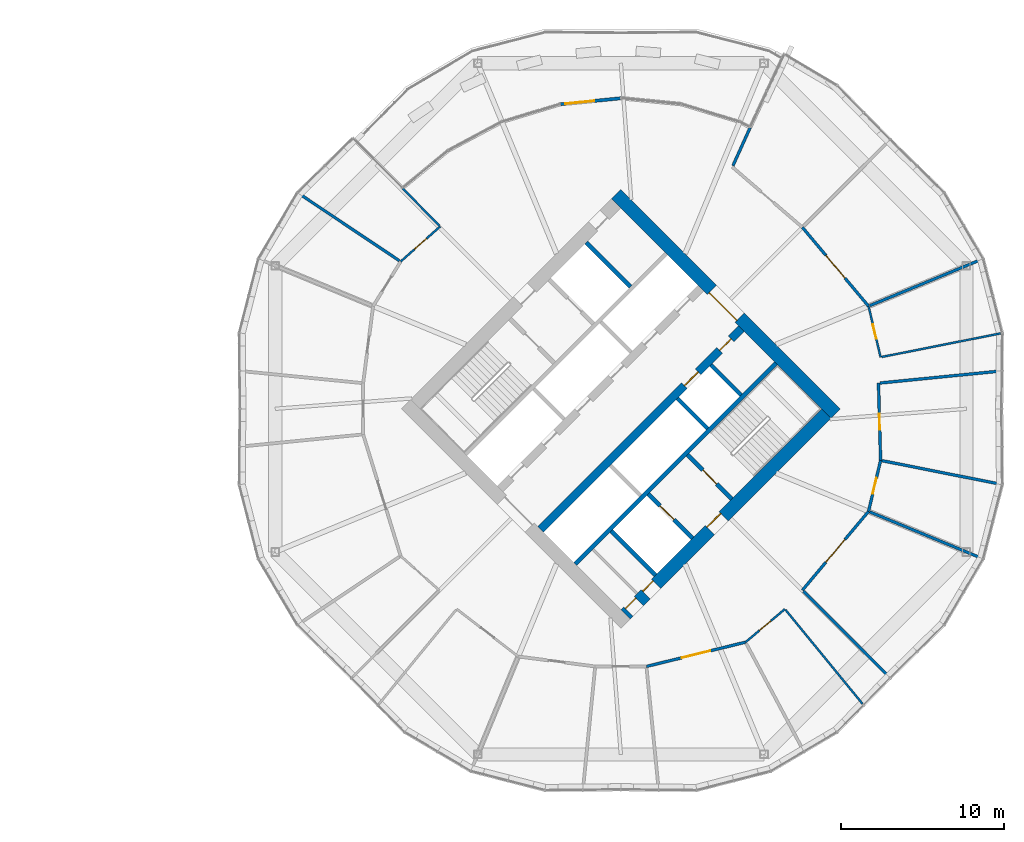
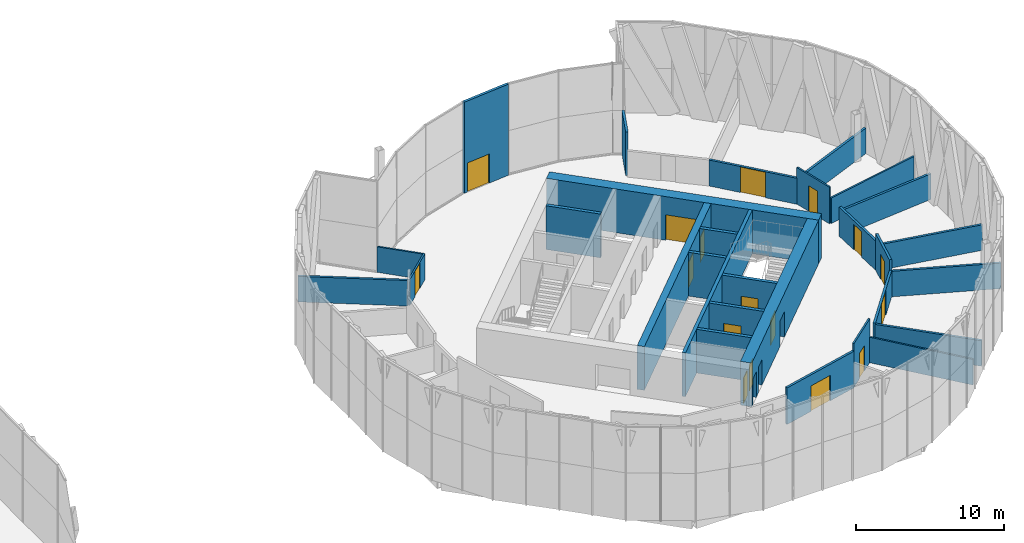
# One storey, part 25 of 31: 29 walls, 17 doors, 17 openings.
"""IFC4 building model written with IfcOpenShell, lengths in metres."""

import ifcopenshell
import ifcopenshell.guid

model = None  # the IFC model being written
_history = None  # IfcOwnerHistory: only IFC2X3 demands one
_inside = {}  # id of a spatial element -> (the spatial element, [elements in it])
_under = {}  # id of a project, library or spatial element -> (it, [spatial elements below it])
_declared = {}  # id of a project -> (the project, [libraries it declares])
_typed = {}  # id of a type object -> (the type object, [elements of that type])
_made_of = {}  # id of a material, layer set ... -> (it, [elements and type objects made of it])


def new_model(schema):
    """Start an empty IFC model of exactly this schema.

    Asked for "IFC4X3", IfcOpenShell would pick the latest addendum, in which some entities
    have other attributes; the version numbers below select the first issue.
    IFC2X3 requires an IfcOwnerHistory on every rooted entity: one is made here for all.
    """
    global model, _history
    if schema == "IFC4X3":
        model = ifcopenshell.file(schema_version=(4, 3, 0, 0))
    else:
        model = ifcopenshell.file(schema=schema)
    _inside.clear()
    _under.clear()
    _declared.clear()
    _typed.clear()
    _made_of.clear()
    _history = None
    if model.schema == "IFC2X3":
        org = make("IfcOrganization", Name="unknown")
        user = make(
            "IfcPersonAndOrganization",
            ThePerson=make("IfcPerson", FamilyName="unknown"),
            TheOrganization=org,
        )
        app = make(
            "IfcApplication",
            ApplicationDeveloper=org,
            Version="unknown",
            ApplicationFullName="unknown",
            ApplicationIdentifier="unknown",
        )
        _history = make(
            "IfcOwnerHistory",
            OwningUser=user,
            OwningApplication=app,
            ChangeAction="ADDED",
            CreationDate=0,
        )
    return model


def make(cls, **values):
    """One entity of the class cls with the attributes given. An attribute that is None is left unset."""
    return model.create_entity(
        cls, **{name: value for name, value in values.items() if value is not None}
    )


def rooted(cls, **values):
    """An entity with a GlobalId (a new one), such as an element, a storey or a relation."""
    return make(cls, GlobalId=ifcopenshell.guid.new(), OwnerHistory=_history, **values)


def si_unit(unit_type, name, prefix=None):
    """IfcSIUnit, for example si_unit("LENGTHUNIT", "METRE", prefix="MILLI")."""
    return make("IfcSIUnit", UnitType=unit_type, Prefix=prefix, Name=name)


def assignment(units):
    """IfcUnitAssignment: the units of a project."""
    return None if units is None else make("IfcUnitAssignment", Units=units)


def point(xyz):
    """IfcCartesianPoint."""
    return None if xyz is None else make("IfcCartesianPoint", Coordinates=xyz)


def direction(xyz):
    """IfcDirection."""
    return None if xyz is None else make("IfcDirection", DirectionRatios=xyz)


def frame(location, z_axis=None, x_axis=None):
    """IfcAxis2Placement3D, a coordinate frame: its origin and axes. An axis left out is left unset."""
    return make(
        "IfcAxis2Placement3D",
        Location=point(location),
        Axis=direction(z_axis),
        RefDirection=direction(x_axis),
    )


def frame_2d(location, x_axis=None):
    """IfcAxis2Placement2D, a coordinate frame in the plane: its origin and x axis."""
    return make(
        "IfcAxis2Placement2D", Location=point(location), RefDirection=direction(x_axis)
    )


def origin():
    """The frame at (0, 0, 0) with its axes left unset."""
    return frame((0.0, 0.0, 0.0))


def place(relative_to, where):
    """IfcLocalPlacement: puts the frame where relative to a parent placement (None: the world)."""
    return make(
        "IfcLocalPlacement", PlacementRelTo=relative_to, RelativePlacement=where
    )


def context(
    kind, dimensions, precision=None, world=None, true_north=None, identifier=None
):
    """IfcGeometricRepresentationContext, for example the 3D "Model" context."""
    return make(
        "IfcGeometricRepresentationContext",
        ContextIdentifier=identifier,
        ContextType=kind,
        CoordinateSpaceDimension=dimensions,
        Precision=precision,
        WorldCoordinateSystem=world,
        TrueNorth=true_north,
    )


def subcontext(parent, identifier, kind, view, scale=None):
    """IfcGeometricRepresentationSubContext, for example "Body" below "Model"."""
    return make(
        "IfcGeometricRepresentationSubContext",
        ContextIdentifier=identifier,
        ContextType=kind,
        ParentContext=parent,
        TargetScale=scale,
        TargetView=view,
    )


def project(units=None, contexts=None):
    """IfcProject with its units and contexts."""
    return rooted(
        "IfcProject",
        Name="project",
        RepresentationContexts=contexts,
        UnitsInContext=assignment(units),
    )


def spatial(cls, under=None, at=None, **own):
    """A site, building, storey or space (cls), placed at a placement, below another one or the project."""
    s = rooted(cls, ObjectPlacement=at, **own)
    if under is not None:
        _under.setdefault(under.id(), (under, []))[1].append(s)
    return s


def profile(cls, at=None, kind="AREA", **sizes):
    """A parametric profile (cls). Its sizes go by their IFC names, for example OverallWidth=200.0."""
    return make(cls, ProfileType=kind, Position=at, **sizes)


def rectangle(**sizes):
    """IfcRectangleProfileDef."""
    return profile("IfcRectangleProfileDef", **sizes)


def extrude(swept, where, along, depth):
    """IfcExtrudedAreaSolid: the profile swept, set in the frame where, extruded along a direction by depth."""
    return make(
        "IfcExtrudedAreaSolid",
        SweptArea=swept,
        Position=where,
        ExtrudedDirection=direction(along),
        Depth=depth,
    )


def shape(context_of_items, identifier, shape_type, items):
    """IfcShapeRepresentation: the items that make up one representation, for example the "Body"."""
    return make(
        "IfcShapeRepresentation",
        ContextOfItems=context_of_items,
        RepresentationIdentifier=identifier,
        RepresentationType=shape_type,
        Items=items,
    )


def material(Name=None, Category=None):
    """IfcMaterial."""
    return make("IfcMaterial", Name=Name, Category=Category)


def layer(
    of_material, thickness, ventilated=None, Name=None, Category=None, Priority=None
):
    """IfcMaterialLayer: one layer of a wall or slab, of a material (None: an air gap)."""
    return make(
        "IfcMaterialLayer",
        Material=of_material,
        LayerThickness=thickness,
        IsVentilated=ventilated,
        Name=Name,
        Category=Category,
        Priority=Priority,
    )


def layer_set(layers, Name=None):
    """IfcMaterialLayerSet."""
    return make("IfcMaterialLayerSet", MaterialLayers=layers, LayerSetName=Name)


def made_of(thing, what):
    """Note that an element or type object is made of a material, layer set ...; save() writes the relation."""
    if what is not None:
        _made_of.setdefault(what.id(), (what, []))[1].append(thing)
    return thing


def type_object(cls, material=None, **own):
    """A type object (cls), such as IfcWallType, which elements share."""
    return made_of(rooted(cls, **own), material)


def element(
    cls,
    number,
    at=None,
    inside=None,
    cuts=None,
    type_object=None,
    material=None,
    context=None,
    identifier="Body",
    shape_type=None,
    held_by="IfcProductDefinitionShape",
    body=None,
    shapes=None,
    **own,
):
    """One element of the class cls, such as IfcWall. Its Tag is "e" and its number.

    at: its placement. inside: the storey or other place that contains it. cuts: it is an
    opening in that element (IfcRelVoidsElement). A single representation is given by context,
    identifier, shape_type and body (its items); several are given by shapes. held_by: the class
    of the entity that holds the representations. save() writes the other relations.
    """
    e = rooted(cls, Tag="e%d" % number, ObjectPlacement=at, **own)
    if body is not None:
        shapes = [shape(context, identifier, shape_type, body)]
    if shapes is not None:
        e.Representation = make(held_by, Representations=shapes)
    if inside is not None:
        _inside.setdefault(inside.id(), (inside, []))[1].append(e)
    if cuts is not None:
        rooted(
            "IfcRelVoidsElement", RelatingBuildingElement=cuts, RelatedOpeningElement=e
        )
    if type_object is not None:
        _typed.setdefault(type_object.id(), (type_object, []))[1].append(e)
    return made_of(e, material)


def fill(opening, filler):
    """IfcRelFillsElement: the door or window that sits in an opening."""
    return rooted(
        "IfcRelFillsElement",
        RelatingOpeningElement=opening,
        RelatedBuildingElement=filler,
    )


def aggregate(whole, parts):
    """IfcRelAggregates: a whole, such as a stair, and the parts it consists of."""
    return rooted("IfcRelAggregates", RelatingObject=whole, RelatedObjects=parts)


def save(model, path):
    """Write the relations noted so far, then the file.

    IfcRelAggregates (storeys below a building ...), IfcRelContainedInSpatialStructure (elements
    in a storey), IfcRelDefinesByType, IfcRelAssociatesMaterial and IfcRelDeclares: one each for
    every whole, place, type object, material and project.
    """
    for whole, parts in _under.values():
        aggregate(whole, parts)
    for where, things in _inside.values():
        rooted(
            "IfcRelContainedInSpatialStructure",
            RelatedElements=things,
            RelatingStructure=where,
        )
    for kind, things in _typed.values():
        rooted("IfcRelDefinesByType", RelatedObjects=things, RelatingType=kind)
    for what, things in _made_of.values():
        rooted("IfcRelAssociatesMaterial", RelatedObjects=things, RelatingMaterial=what)
    for by, libraries in _declared.values():
        rooted("IfcRelDeclares", RelatingContext=by, RelatedDefinitions=libraries)
    model.write(path)


model = new_model("IFC4")

# Units and contexts
model_context = context("Model", 3, precision=1e-05, world=origin(), true_north=direction((0.0, 1.0)))
body_context = subcontext(model_context, "Body", "Model", "MODEL_VIEW")
ifc_project = project(units=[si_unit("LENGTHUNIT", "METRE"), si_unit("AREAUNIT", "SQUARE_METRE"), si_unit("VOLUMEUNIT", "CUBIC_METRE"), si_unit("PLANEANGLEUNIT", "RADIAN"), si_unit("MASSUNIT", "GRAM", prefix="KILO")], contexts=[model_context])

# Site, building, storey
site_placement = place(None, origin())
site = spatial("IfcSite", under=ifc_project, at=site_placement, CompositionType="ELEMENT")
building_placement = place(site_placement, origin())
building = spatial("IfcBuilding", under=site, at=building_placement, Name="Ogive Gate Towers", CompositionType="ELEMENT")
storey_placement = place(building_placement, frame((0.0, 0.0, 63.60009765625)))
storey = spatial("IfcBuildingStorey", under=building, at=storey_placement, Name="L14", CompositionType="ELEMENT", Elevation=63.60009765625)

# Walls
ifc_material_1 = material(Name="Gypsum board acoustic partition")
ifc_layer_1 = layer(ifc_material_1, 0.175048828125)
ifc_layer_set_1 = layer_set([ifc_layer_1], Name="Acoustic partition 175")
wall_type_1 = type_object("IfcWallType", Name="Acoustic partition 175", PredefinedType="PARTITIONING", material=ifc_layer_set_1)
for number, where, z_axis, x_axis, name in (
    (1, (59.231689453125, 2.308837890625, 0.0), (0.0, 0.0, 1.0), (-0.995098680944, -0.098886880746, 0.0), "Partition T2-L14-001"),
    (2, (58.090087890625, 9.14990234375, 0.0), (0.0, 0.0, 1.0), (-0.92387943858, -0.382683659136, 0.0), "Partition T2-L14-003"),
):
    element("IfcWall", number, at=place(storey_placement, frame(where, z_axis=z_axis, x_axis=x_axis)), inside=storey, type_object=wall_type_1, Name=name, PredefinedType="PARTITIONING", context=body_context, shape_type="SweptSolid", body=[
        extrude(rectangle(XDim=7.40673828125, YDim=0.175048828125, at=frame_2d((3.703369140625, 0.0))), origin(), (0.0, 0.0, 1.0), 2.099853515625),
    ])
wall_1_placement = place(storey_placement, frame((43.919189453125, 17.218994140625, 0.0), z_axis=(0.0, 0.0, 1.0), x_axis=(-0.411528057748, -0.911397091112, 0.0)))
element("IfcWall", 3, at=wall_1_placement, inside=storey, type_object=wall_type_1, Name="Partition T2-L14-005", PredefinedType="PARTITIONING", context=body_context, shape_type="SweptSolid", body=[
    extrude(rectangle(XDim=2.564697265625, YDim=0.175048828125, at=frame_2d((1.2822265625, 0.0))), origin(), (0.0, 0.0, 1.0), 3.599853515625),
])
for number, where, z_axis, x_axis, name in (
    (4, (16.290283203125, 13.1787109375, 0.0), (0.0, 0.0, 1.0), (0.831293938964, -0.55583305681, 0.0), "Partition T2-L14-007"),
    (5, (52.411376953125, -16.411376953125, 0.0), (0.0, 0.0, 1.0), (-0.707106781187, 0.707106781187, 0.0), "Partition T2-L14-019"),
    (6, (58.090087890625, -9.14990234375, 0.0), (0.0, 0.0, 1.0), (-0.92387943858, 0.382683659136, 0.0), "Partition T2-L14-020"),
    (7, (59.25537109375, -4.6181640625, 0.0), (0.0, 0.0, 1.0), (-0.980848521473, 0.194772117935, 0.0), "Partition T2-L14-021"),
):
    element("IfcWall", number, at=place(storey_placement, frame(where, z_axis=z_axis, x_axis=x_axis)), inside=storey, type_object=wall_type_1, Name=name, PredefinedType="PARTITIONING", context=body_context, shape_type="SweptSolid", body=[
        extrude(rectangle(XDim=7.40673828125, YDim=0.175048828125, at=frame_2d((3.703369140625, 0.0))), origin(), (0.0, 0.0, 1.0), 2.099853515625),
    ])

# Wall, opening, door
wall_2_placement = place(storey_placement, frame((47.112060546875, 11.112060546875, 0.0), z_axis=(0.0, 0.0, 1.0), x_axis=(0.642906942944, -0.765944294785, 0.0)))
wall_2 = element("IfcWall", 8, at=wall_2_placement, inside=storey, type_object=wall_type_1, Name="Partition T2-L14-023", PredefinedType="PARTITIONING", context=body_context, shape_type="SweptSolid", body=[
    extrude(rectangle(XDim=6.30615234375, YDim=0.175048828125, at=frame_2d((3.153076171875, 0.0))), origin(), (0.0, 0.0, 1.0), 2.139892578125),
])
opening_1_placement = place(wall_2_placement, frame((2.2529296875, 0.0, 0.0)))
opening_1 = element("IfcOpeningElement", 9, at=opening_1_placement, cuts=wall_2, Name="Opening T2-L14-D02", PredefinedType="OPENING", context=body_context, shape_type="SweptSolid", body=[
    extrude(rectangle(XDim=1.800048828125, YDim=2.10009765625, at=frame_2d((0.89990234375, 1.050048828125))), frame((0.0, 0.09765625, 0.0), z_axis=(0.0, -1.0, 0.0), x_axis=(1.0, 0.0, 0.0)), (0.0, 0.0, 1.0), 0.195068359375),
])
ifc_material_2 = material(Name="Timber door", Category="wood")
door_type_1 = type_object("IfcDoorType", Name="Door pair 1800", OperationType="NOTDEFINED", PredefinedType="DOOR", material=ifc_material_2)
door_1_placement = place(opening_1_placement, origin())
door_1 = element("IfcDoor", 10, at=door_1_placement, inside=storey, type_object=door_type_1, Name="Door T2-L14-D02", OperationType="DOUBLE_DOOR_DOUBLE_SWING", OverallHeight=2.10009765625, OverallWidth=1.800048828125, PredefinedType="DOOR", context=body_context, shape_type="SweptSolid", body=[
    extrude(rectangle(XDim=1.800048828125, YDim=2.10009765625, at=frame_2d((0.89990234375, 1.050048828125))), frame((0.0, 0.02490234375, 0.0), z_axis=(0.0, -1.0, 0.0), x_axis=(1.0, 0.0, 0.0)), (0.0, 0.0, 1.0), 0.050048828125),
])
fill(opening_1, door_1)

wall_3_placement = place(storey_placement, frame((51.7744140625, 1.567626953125, 0.0), z_axis=(0.0, 0.0, 1.0), x_axis=(0.027575004634, -0.99961973726, 0.0)))
wall_3 = element("IfcWall", 11, at=wall_3_placement, inside=storey, type_object=wall_type_1, Name="Partition T2-L14-025", PredefinedType="PARTITIONING", context=body_context, shape_type="SweptSolid", body=[
    extrude(rectangle(XDim=4.727783203125, YDim=0.175048828125, at=frame_2d((2.36376953125, 0.0))), origin(), (0.0, 0.0, 1.0), 2.39990234375),
])
opening_2_placement = place(wall_3_placement, frame((1.864013671875, 0.0, 0.0)))
opening_2 = element("IfcOpeningElement", 12, at=opening_2_placement, cuts=wall_3, Name="Opening T2-L14-D04", PredefinedType="OPENING", context=body_context, shape_type="SweptSolid", body=[
    extrude(rectangle(XDim=1.0, YDim=2.10009765625, at=frame_2d((0.5, 1.050048828125))), frame((0.0, 0.09765625, 0.0), z_axis=(0.0, -1.0, 0.0), x_axis=(1.0, 0.0, 0.0)), (0.0, 0.0, 1.0), 0.195068359375),
])
door_type_2 = type_object("IfcDoorType", Name="Door 1000", OperationType="NOTDEFINED", PredefinedType="DOOR", material=ifc_material_2)
door_2_placement = place(opening_2_placement, origin())
door_2 = element("IfcDoor", 13, at=door_2_placement, inside=storey, type_object=door_type_2, Name="Door T2-L14-D04", OperationType="SINGLE_SWING_LEFT", OverallHeight=2.10009765625, OverallWidth=1.0, PredefinedType="DOOR", context=body_context, shape_type="SweptSolid", body=[
    extrude(rectangle(XDim=1.0, YDim=2.10009765625, at=frame_2d((0.5, 1.050048828125))), frame((0.0, 0.02490234375, 0.0), z_axis=(0.0, -1.0, 0.0), x_axis=(1.0, 0.0, 0.0)), (0.0, 0.0, 1.0), 0.050048828125),
])
fill(opening_2, door_2)

wall_4_placement = place(storey_placement, frame((51.90478515625, -3.158447265625, 0.0), z_axis=(0.0, 0.0, 1.0), x_axis=(-0.23009487344, -0.973168201914, 0.0)))
wall_4 = element("IfcWall", 14, at=wall_4_placement, inside=storey, type_object=wall_type_1, Name="Partition T2-L14-026", PredefinedType="PARTITIONING", context=body_context, shape_type="SweptSolid", body=[
    extrude(rectangle(XDim=3.209716796875, YDim=0.175048828125, at=frame_2d((1.60498046875, 0.0))), origin(), (0.0, 0.0, 1.0), 3.010009765625),
])
opening_3_placement = place(wall_4_placement, frame((1.10498046875, 0.0, 0.0)))
opening_3 = element("IfcOpeningElement", 15, at=opening_3_placement, cuts=wall_4, Name="Opening T2-L14-D05", PredefinedType="OPENING", context=body_context, shape_type="SweptSolid", body=[
    extrude(rectangle(XDim=1.0, YDim=2.10009765625, at=frame_2d((0.5, 1.050048828125))), frame((0.0, 0.09765625, 0.0), z_axis=(0.0, -1.0, 0.0), x_axis=(1.0, 0.0, 0.0)), (0.0, 0.0, 1.0), 0.195068359375),
])
door_3_placement = place(opening_3_placement, origin())
door_3 = element("IfcDoor", 16, at=door_3_placement, inside=storey, type_object=door_type_2, Name="Door T2-L14-D05", OperationType="SINGLE_SWING_LEFT", OverallHeight=2.10009765625, OverallWidth=1.0, PredefinedType="DOOR", context=body_context, shape_type="SweptSolid", body=[
    extrude(rectangle(XDim=1.0, YDim=2.10009765625, at=frame_2d((0.5, 1.050048828125))), frame((0.0, 0.02490234375, 0.0), z_axis=(0.0, -1.0, 0.0), x_axis=(1.0, 0.0, 0.0)), (0.0, 0.0, 1.0), 0.050048828125),
])
fill(opening_3, door_3)

wall_5_placement = place(storey_placement, frame((51.166259765625, -6.281982421875, 0.0), z_axis=(0.0, 0.0, 1.0), x_axis=(-0.642906942944, -0.765944294785, 0.0)))
wall_5 = element("IfcWall", 17, at=wall_5_placement, inside=storey, type_object=wall_type_1, Name="Partition T2-L14-027", PredefinedType="PARTITIONING", context=body_context, shape_type="SweptSolid", body=[
    extrude(rectangle(XDim=6.30615234375, YDim=0.175048828125, at=frame_2d((3.153076171875, 0.0))), origin(), (0.0, 0.0, 1.0), 2.139892578125),
])
opening_4_placement = place(wall_5_placement, frame((2.2529296875, 0.0, 0.0)))
opening_4 = element("IfcOpeningElement", 18, at=opening_4_placement, cuts=wall_5, Name="Opening T2-L14-D06", PredefinedType="OPENING", context=body_context, shape_type="SweptSolid", body=[
    extrude(rectangle(XDim=1.800048828125, YDim=2.10009765625, at=frame_2d((0.89990234375, 1.050048828125))), frame((0.0, 0.09765625, 0.0), z_axis=(0.0, -1.0, 0.0), x_axis=(1.0, 0.0, 0.0)), (0.0, 0.0, 1.0), 0.195068359375),
])
door_4_placement = place(opening_4_placement, origin())
door_4 = element("IfcDoor", 19, at=door_4_placement, inside=storey, type_object=door_type_1, Name="Door T2-L14-D06", OperationType="DOUBLE_DOOR_DOUBLE_SWING", OverallHeight=2.10009765625, OverallWidth=1.800048828125, PredefinedType="DOOR", context=body_context, shape_type="SweptSolid", body=[
    extrude(rectangle(XDim=1.800048828125, YDim=2.10009765625, at=frame_2d((0.89990234375, 1.050048828125))), frame((0.0, 0.02490234375, 0.0), z_axis=(0.0, -1.0, 0.0), x_axis=(1.0, 0.0, 0.0)), (0.0, 0.0, 1.0), 0.050048828125),
])
fill(opening_4, door_4)

wall_6_placement = place(storey_placement, frame((43.633056640625, -14.2890625, 0.0), z_axis=(0.0, 0.0, 1.0), x_axis=(-0.971299523698, -0.237859696594, 0.0)))
wall_6 = element("IfcWall", 20, at=wall_6_placement, inside=storey, type_object=wall_type_1, Name="Partition T2-L14-029", PredefinedType="PARTITIONING", context=body_context, shape_type="SweptSolid", body=[
    extrude(rectangle(XDim=6.24462890625, YDim=0.175048828125, at=frame_2d((3.122314453125, 0.0))), origin(), (0.0, 0.0, 1.0), 3.010009765625),
])
opening_5_placement = place(wall_6_placement, frame((2.221923828125, 0.0, 0.0)))
opening_5 = element("IfcOpeningElement", 21, at=opening_5_placement, cuts=wall_6, Name="Opening T2-L14-D08", PredefinedType="OPENING", context=body_context, shape_type="SweptSolid", body=[
    extrude(rectangle(XDim=1.800048828125, YDim=2.10009765625, at=frame_2d((0.89990234375, 1.050048828125))), frame((0.0, 0.09765625, 0.0), z_axis=(0.0, -1.0, 0.0), x_axis=(1.0, 0.0, 0.0)), (0.0, 0.0, 1.0), 0.195068359375),
])
door_5_placement = place(opening_5_placement, origin())
door_5 = element("IfcDoor", 22, at=door_5_placement, inside=storey, type_object=door_type_1, Name="Door T2-L14-D08", OperationType="DOUBLE_DOOR_DOUBLE_SWING", OverallHeight=2.10009765625, OverallWidth=1.800048828125, PredefinedType="DOOR", context=body_context, shape_type="SweptSolid", body=[
    extrude(rectangle(XDim=1.800048828125, YDim=2.10009765625, at=frame_2d((0.89990234375, 1.050048828125))), frame((0.0, 0.02490234375, 0.0), z_axis=(0.0, -1.0, 0.0), x_axis=(1.0, 0.0, 0.0)), (0.0, 0.0, 1.0), 0.050048828125),
])
fill(opening_5, door_5)

# Wall, openings, doors
ifc_material_3 = material(Name="Concrete C60/75", Category="concrete")
ifc_layer_2 = layer(ifc_material_3, 0.800048828125)
ifc_layer_set_2 = layer_set([ifc_layer_2], Name="Core wall 800 mm")
wall_type_2 = type_object("IfcWallType", Name="Core wall 800 mm", PredefinedType="SHEAR", material=ifc_layer_set_2)
wall_7_placement = place(storey_placement, frame((36.28271484375, -12.58642578125, 0.0), z_axis=(0.0, 0.0, 1.0), x_axis=(0.707106781187, 0.707106781187, 0.0)))
wall_7 = element("IfcWall", 23, at=wall_7_placement, inside=storey, type_object=wall_type_2, Name="T2 L14 Core wall 800 mm", PredefinedType="SHEAR", context=body_context, shape_type="SweptSolid", body=[
    extrude(rectangle(XDim=17.400146484375, YDim=0.800048828125, at=frame_2d((8.7001953125, 0.0))), origin(), (0.0, 0.0, 1.0), 3.599853515625),
])
opening_6_placement = place(wall_7_placement, frame((7.300048828125, 0.0, 0.0)))
opening_6 = element("IfcOpeningElement", 24, at=opening_6_placement, cuts=wall_7, Name="Opening KD-T2-L14-16", PredefinedType="OPENING", context=body_context, shape_type="SweptSolid", body=[
    extrude(rectangle(XDim=1.199951171875, YDim=2.10009765625, at=frame_2d((0.60009765625, 1.050048828125))), frame((0.0, 0.41015625, 0.0), z_axis=(0.0, -1.0, 0.0), x_axis=(1.0, 0.0, 0.0)), (0.0, 0.0, 1.0), 0.820068359375),
])
opening_7_placement = place(wall_7_placement, frame((0.25, 0.0, 0.0)))
opening_7 = element("IfcOpeningElement", 25, at=opening_7_placement, cuts=wall_7, Name="Opening KD-T2-L14-18", PredefinedType="OPENING", context=body_context, shape_type="SweptSolid", body=[
    extrude(rectangle(XDim=0.89990234375, YDim=2.10009765625, at=frame_2d((0.449951171875, 1.050048828125))), frame((0.0, 0.41015625, 0.0), z_axis=(0.0, -1.0, 0.0), x_axis=(1.0, 0.0, 0.0)), (0.0, 0.0, 1.0), 0.820068359375),
])
opening_8_placement = place(wall_7_placement, frame((1.75, 0.0, 0.0)))
opening_8 = element("IfcOpeningElement", 26, at=opening_8_placement, cuts=wall_7, Name="Opening KD-T2-L14-19", PredefinedType="OPENING", context=body_context, shape_type="SweptSolid", body=[
    extrude(rectangle(XDim=0.89990234375, YDim=2.10009765625, at=frame_2d((0.449951171875, 1.050048828125))), frame((0.0, 0.41015625, 0.0), z_axis=(0.0, -1.0, 0.0), x_axis=(1.0, 0.0, 0.0)), (0.0, 0.0, 1.0), 0.820068359375),
])
door_type_3 = type_object("IfcDoorType", Name="Core WC door 900 x 2100", OperationType="NOTDEFINED", PredefinedType="DOOR", material=ifc_material_2)
door_6_placement = place(opening_7_placement, origin())
door_6 = element("IfcDoor", 27, at=door_6_placement, inside=storey, type_object=door_type_3, Name="T2 L14 Core door", OperationType="SINGLE_SWING_LEFT", OverallHeight=2.10009765625, OverallWidth=0.89990234375, PredefinedType="DOOR", context=body_context, shape_type="SweptSolid", body=[
    extrude(rectangle(XDim=0.89990234375, YDim=2.10009765625, at=frame_2d((0.449951171875, 1.050048828125))), frame((0.0, 0.27490234375, 0.0), z_axis=(0.0, -1.0, 0.0), x_axis=(1.0, 0.0, 0.0)), (0.0, 0.0, 1.0), 0.050048828125),
])
fill(opening_7, door_6)
door_7_placement = place(opening_8_placement, origin())
door_7 = element("IfcDoor", 28, at=door_7_placement, inside=storey, type_object=door_type_3, Name="T2 L14 Core door", OperationType="SINGLE_SWING_RIGHT", OverallHeight=2.10009765625, OverallWidth=0.89990234375, PredefinedType="DOOR", context=body_context, shape_type="SweptSolid", body=[
    extrude(rectangle(XDim=0.89990234375, YDim=2.10009765625, at=frame_2d((0.449951171875, 1.050048828125))), frame((0.0, 0.27490234375, 0.0), z_axis=(0.0, -1.0, 0.0), x_axis=(1.0, 0.0, 0.0)), (0.0, 0.0, 1.0), 0.050048828125),
])
fill(opening_8, door_7)
ifc_material_4 = material(Name="Steel fire door", Category="steel")
door_type_4 = type_object("IfcDoorType", Name="Core door FD60S 1200 x 2100", OperationType="NOTDEFINED", PredefinedType="DOOR", material=ifc_material_4)
door_8_placement = place(opening_6_placement, origin())
door_8 = element("IfcDoor", 29, at=door_8_placement, inside=storey, type_object=door_type_4, Name="T2 L14 Fire-fighting lobby door", OperationType="SINGLE_SWING_LEFT", OverallHeight=2.10009765625, OverallWidth=1.199951171875, PredefinedType="DOOR", context=body_context, shape_type="SweptSolid", body=[
    extrude(rectangle(XDim=1.199951171875, YDim=2.10009765625, at=frame_2d((0.60009765625, 1.050048828125))), frame((0.0, 0.27490234375, 0.0), z_axis=(0.0, -1.0, 0.0), x_axis=(1.0, 0.0, 0.0)), (0.0, 0.0, 1.0), 0.050048828125),
])
fill(opening_6, door_8)

# Wall, opening, door
wall_8_placement = place(storey_placement, frame((49.152099609375, -0.28271484375, 0.0), z_axis=(0.0, 0.0, 1.0), x_axis=(-0.707106781187, 0.707106781187, 0.0)))
wall_8 = element("IfcWall", 30, at=wall_8_placement, inside=storey, type_object=wall_type_2, Name="T2 L14 Core wall 800 mm", PredefinedType="SHEAR", context=body_context, shape_type="SweptSolid", body=[
    extrude(rectangle(XDim=18.999755859375, YDim=0.800048828125, at=frame_2d((9.5, 0.0))), origin(), (0.0, 0.0, 1.0), 3.599853515625),
])
opening_9_placement = place(wall_8_placement, frame((8.300048828125, 0.0, 0.0)))
opening_9 = element("IfcOpeningElement", 31, at=opening_9_placement, cuts=wall_8, Name="Opening KD-T2-L14-02", PredefinedType="OPENING", context=body_context, shape_type="SweptSolid", body=[
    extrude(rectangle(XDim=2.39990234375, YDim=2.10009765625, at=frame_2d((1.199951171875, 1.050048828125))), frame((0.0, 0.41015625, 0.0), z_axis=(0.0, -1.0, 0.0), x_axis=(1.0, 0.0, 0.0)), (0.0, 0.0, 1.0), 0.820068359375),
])
door_type_5 = type_object("IfcDoorType", Name="Core double door FD60S 2400 x 2100", OperationType="DOUBLE_DOOR_SINGLE_SWING", PredefinedType="DOOR", material=ifc_material_4)
door_9_placement = place(opening_9_placement, origin())
door_9 = element("IfcDoor", 32, at=door_9_placement, inside=storey, type_object=door_type_5, Name="T2 L14 Core door double", OperationType="DOUBLE_DOOR_SINGLE_SWING", OverallHeight=2.10009765625, OverallWidth=2.39990234375, PredefinedType="DOOR", context=body_context, shape_type="SweptSolid", body=[
    extrude(rectangle(XDim=2.39990234375, YDim=2.10009765625, at=frame_2d((1.199951171875, 1.050048828125))), frame((0.0, 0.27490234375, 0.0), z_axis=(0.0, -1.0, 0.0), x_axis=(1.0, 0.0, 0.0)), (0.0, 0.0, 1.0), 0.050048828125),
])
fill(opening_9, door_9)

ifc_material_5 = material(Name="Pale metal aluminium", Category="aluminium")
ifc_layer_3 = layer(ifc_material_5, 0.199951171875)
ifc_layer_set_3 = layer_set([ifc_layer_3], Name="Garden infill wall")
wall_type_3 = type_object("IfcWallType", Name="Garden infill wall", PredefinedType="SOLIDWALL", material=ifc_layer_set_3)
wall_9_placement = place(storey_placement, frame((32.316162109375, 18.647705078125, 0.0), z_axis=(0.0, 0.0, 1.0), x_axis=(0.995185313901, 0.098011177909, 0.0)))
wall_9 = element("IfcWall", 33, at=wall_9_placement, inside=storey, type_object=wall_type_3, Name="Garden infill wall", PredefinedType="SOLIDWALL", context=body_context, shape_type="SweptSolid", body=[
    extrude(rectangle(XDim=3.6767578125, YDim=0.199951171875, at=frame_2d((1.83837890625, 0.0))), origin(), (0.0, 0.0, 1.0), 7.5),
])
opening_10_placement = place(wall_9_placement, frame((0.27490234375, 0.0, 0.0)))
opening_10 = element("IfcOpeningElement", 34, at=opening_10_placement, cuts=wall_9, Name="Opening ED1-L14-01", PredefinedType="OPENING", context=body_context, shape_type="SweptSolid", body=[
    extrude(rectangle(XDim=1.800048828125, YDim=2.39990234375, at=frame_2d((0.89990234375, 1.199951171875))), frame((0.0, 0.10986328125, 0.0), z_axis=(0.0, -1.0, 0.0), x_axis=(1.0, 0.0, 0.0)), (0.0, 0.0, 1.0), 0.219970703125),
])
door_type_6 = type_object("IfcDoorType", Name="Garden door 1800 x 2400", OperationType="DOUBLE_DOOR_SINGLE_SWING", PredefinedType="DOOR", material=ifc_material_5)
door_10_placement = place(opening_10_placement, origin())
door_10 = element("IfcDoor", 35, at=door_10_placement, inside=storey, type_object=door_type_6, Name="Garden door", OperationType="SINGLE_SWING_LEFT", OverallHeight=2.39990234375, OverallWidth=1.800048828125, PredefinedType="DOOR", context=body_context, shape_type="SweptSolid", body=[
    extrude(rectangle(XDim=1.800048828125, YDim=2.39990234375, at=frame_2d((0.89990234375, 1.199951171875))), frame((0.0, 0.02490234375, 0.0), z_axis=(0.0, -1.0, 0.0), x_axis=(1.0, 0.0, 0.0)), (0.0, 0.0, 1.0), 0.050048828125),
])
fill(opening_10, door_10)

# Walls
ifc_material_6 = material(Name="Gypsum board partition")
ifc_layer_4 = layer(ifc_material_6, 0.125)
ifc_layer_set_4 = layer_set([ifc_layer_4], Name="Partition 125")
wall_type_4 = type_object("IfcWallType", Name="Partition 125", PredefinedType="PARTITIONING", material=ifc_layer_set_4)
wall_10_placement = place(storey_placement, frame((59.25537109375, 4.6181640625, 0.0), z_axis=(0.0, 0.0, 1.0), x_axis=(-0.980847627209, -0.194776621285, 0.0)))
element("IfcWall", 36, at=wall_10_placement, inside=storey, type_object=wall_type_4, Name="Partition T2-L14-002", PredefinedType="PARTITIONING", context=body_context, shape_type="SweptSolid", body=[
    extrude(rectangle(XDim=7.431640625, YDim=0.125, at=frame_2d((3.7158203125, 0.0))), origin(), (0.0, 0.0, 1.0), 2.099853515625),
])
wall_11_placement = place(storey_placement, frame((22.63525390625, 13.506103515625, 0.0), z_axis=(0.0, 0.0, 1.0), x_axis=(0.699991154973, -0.714151512608, 0.0)))
element("IfcWall", 37, at=wall_11_placement, inside=storey, type_object=wall_type_4, Name="Partition T2-L14-006", PredefinedType="PARTITIONING", context=body_context, shape_type="SweptSolid", body=[
    extrude(rectangle(XDim=3.22412109375, YDim=0.125, at=frame_2d((1.612060546875, 0.0))), origin(), (0.0, 0.0, 1.0), 2.099853515625),
])
wall_12_placement = place(storey_placement, frame((50.794677734375, -18.06005859375, 0.0), z_axis=(0.0, 0.0, 1.0), x_axis=(-0.633699220446, 0.773579535669, 0.0)))
element("IfcWall", 38, at=wall_12_placement, inside=storey, type_object=wall_type_4, Name="Partition T2-L14-018", PredefinedType="PARTITIONING", context=body_context, shape_type="SweptSolid", body=[
    extrude(rectangle(XDim=7.431640625, YDim=0.125, at=frame_2d((3.7158203125, 0.0))), origin(), (0.0, 0.0, 1.0), 2.099853515625),
])

# Wall, opening, door
wall_13_placement = place(storey_placement, frame((51.166259765625, 6.281982421875, 0.0), z_axis=(0.0, 0.0, 1.0), x_axis=(0.23009487344, -0.973168201914, 0.0)))
wall_13 = element("IfcWall", 39, at=wall_13_placement, inside=storey, type_object=wall_type_4, Name="Partition T2-L14-024", PredefinedType="PARTITIONING", context=body_context, shape_type="SweptSolid", body=[
    extrude(rectangle(XDim=3.209716796875, YDim=0.125, at=frame_2d((1.60498046875, 0.0))), origin(), (0.0, 0.0, 1.0), 3.010009765625),
])
opening_11_placement = place(wall_13_placement, frame((1.155029296875, 0.0, 0.0)))
opening_11 = element("IfcOpeningElement", 40, at=opening_11_placement, cuts=wall_13, Name="Opening T2-L14-D03", PredefinedType="OPENING", context=body_context, shape_type="SweptSolid", body=[
    extrude(rectangle(XDim=0.89990234375, YDim=2.10009765625, at=frame_2d((0.449951171875, 1.050048828125))), frame((0.0, 0.072509765625, 0.0), z_axis=(0.0, -1.0, 0.0), x_axis=(1.0, 0.0, 0.0)), (0.0, 0.0, 1.0), 0.14501953125),
])
door_type_7 = type_object("IfcDoorType", Name="Door 900", OperationType="NOTDEFINED", PredefinedType="DOOR", material=ifc_material_2)
door_11_placement = place(opening_11_placement, origin())
door_11 = element("IfcDoor", 41, at=door_11_placement, inside=storey, type_object=door_type_7, Name="Door T2-L14-D03", OperationType="SINGLE_SWING_RIGHT", OverallHeight=2.10009765625, OverallWidth=0.89990234375, PredefinedType="DOOR", context=body_context, shape_type="SweptSolid", body=[
    extrude(rectangle(XDim=0.89990234375, YDim=2.10009765625, at=frame_2d((0.449951171875, 1.050048828125))), frame((0.0, 0.02490234375, 0.0), z_axis=(0.0, -1.0, 0.0), x_axis=(1.0, 0.0, 0.0)), (0.0, 0.0, 1.0), 0.050048828125),
])
fill(opening_11, door_11)

wall_14_placement = place(storey_placement, frame((46.045654296875, -12.2626953125, 0.0), z_axis=(0.0, 0.0, 1.0), x_axis=(-0.765738446814, -0.643152105703, 0.0)))
wall_14 = element("IfcWall", 42, at=wall_14_placement, inside=storey, type_object=wall_type_4, Name="Partition T2-L14-028", PredefinedType="PARTITIONING", context=body_context, shape_type="SweptSolid", body=[
    extrude(rectangle(XDim=3.150634765625, YDim=0.125, at=frame_2d((1.5751953125, 0.0))), origin(), (0.0, 0.0, 1.0), 3.599853515625),
])
opening_12_placement = place(wall_14_placement, frame((1.125, 0.0, 0.0)))
opening_12 = element("IfcOpeningElement", 43, at=opening_12_placement, cuts=wall_14, Name="Opening T2-L14-D07", PredefinedType="OPENING", context=body_context, shape_type="SweptSolid", body=[
    extrude(rectangle(XDim=0.89990234375, YDim=2.10009765625, at=frame_2d((0.449951171875, 1.050048828125))), frame((0.0, 0.072509765625, 0.0), z_axis=(0.0, -1.0, 0.0), x_axis=(1.0, 0.0, 0.0)), (0.0, 0.0, 1.0), 0.14501953125),
])
door_12_placement = place(opening_12_placement, origin())
door_12 = element("IfcDoor", 44, at=door_12_placement, inside=storey, type_object=door_type_7, Name="Door T2-L14-D07", OperationType="SINGLE_SWING_RIGHT", OverallHeight=2.10009765625, OverallWidth=0.89990234375, PredefinedType="DOOR", context=body_context, shape_type="SweptSolid", body=[
    extrude(rectangle(XDim=0.89990234375, YDim=2.10009765625, at=frame_2d((0.449951171875, 1.050048828125))), frame((0.0, 0.02490234375, 0.0), z_axis=(0.0, -1.0, 0.0), x_axis=(1.0, 0.0, 0.0)), (0.0, 0.0, 1.0), 0.050048828125),
])
fill(opening_12, door_12)

wall_15_placement = place(storey_placement, frame((22.520263671875, 9.012939453125, 0.0), z_axis=(0.0, 0.0, 1.0), x_axis=(0.747613520885, 0.664134040228, 0.0)))
wall_15 = element("IfcWall", 45, at=wall_15_placement, inside=storey, type_object=wall_type_4, Name="Partition T2-L14-038", PredefinedType="PARTITIONING", context=body_context, shape_type="SweptSolid", body=[
    extrude(rectangle(XDim=3.231689453125, YDim=0.125, at=frame_2d((1.61572265625, 0.0))), origin(), (0.0, 0.0, 1.0), 2.139892578125),
])
opening_13_placement = place(wall_15_placement, frame((1.115966796875, 0.0, 0.0)))
opening_13 = element("IfcOpeningElement", 46, at=opening_13_placement, cuts=wall_15, Name="Opening T2-L14-D17", PredefinedType="OPENING", context=body_context, shape_type="SweptSolid", body=[
    extrude(rectangle(XDim=1.0, YDim=2.10009765625, at=frame_2d((0.5, 1.050048828125))), frame((0.0, 0.072509765625, 0.0), z_axis=(0.0, -1.0, 0.0), x_axis=(1.0, 0.0, 0.0)), (0.0, 0.0, 1.0), 0.14501953125),
])
door_13_placement = place(opening_13_placement, origin())
door_13 = element("IfcDoor", 47, at=door_13_placement, inside=storey, type_object=door_type_2, Name="Door T2-L14-D17", OperationType="SINGLE_SWING_LEFT", OverallHeight=2.10009765625, OverallWidth=1.0, PredefinedType="DOOR", context=body_context, shape_type="SweptSolid", body=[
    extrude(rectangle(XDim=1.0, YDim=2.10009765625, at=frame_2d((0.5, 1.050048828125))), frame((0.0, 0.02490234375, 0.0), z_axis=(0.0, -1.0, 0.0), x_axis=(1.0, 0.0, 0.0)), (0.0, 0.0, 1.0), 0.050048828125),
])
fill(opening_13, door_13)

# Walls
ifc_layer_5 = layer(ifc_material_3, 0.25)
ifc_layer_set_5 = layer_set([ifc_layer_5], Name="Shaft wall 250 mm")
wall_type_5 = type_object("IfcWallType", Name="Shaft wall 250 mm", PredefinedType="SHEAR", material=ifc_layer_set_5)
wall_16_placement = place(storey_placement, frame((33.206787109375, -9.510498046875, 0.0), z_axis=(0.0, 0.0, 1.0), x_axis=(0.707106781187, 0.707106781187, 0.0)))
element("IfcWall", 48, at=wall_16_placement, inside=storey, type_object=wall_type_5, Name="T2 L14 Shaft wall 250 mm", PredefinedType="SHEAR", context=body_context, shape_type="SweptSolid", body=[
    extrude(rectangle(XDim=17.400146484375, YDim=0.25, at=frame_2d((8.7001953125, 0.0))), origin(), (0.0, 0.0, 1.0), 3.599853515625),
])
wall_17_placement = place(storey_placement, frame((38.121337890625, -10.182373046875, 0.0), z_axis=(0.0, 0.0, 1.0), x_axis=(-0.707138693938, 0.707074866995, 0.0)))
element("IfcWall", 49, at=wall_17_placement, inside=storey, type_object=wall_type_5, Name="T2 L14 Shaft wall 250 mm", PredefinedType="SHEAR", context=body_context, shape_type="SweptSolid", body=[
    extrude(rectangle(XDim=3.824951171875, YDim=0.25, at=frame_2d((1.91259765625, 0.0))), origin(), (0.0, 0.0, 1.0), 3.599853515625),
])

# Wall, opening, door
wall_18_placement = place(storey_placement, frame((40.384033203125, -7.919677734375, 0.0), z_axis=(0.0, 0.0, 1.0), x_axis=(-0.707074866995, 0.707138693938, 0.0)))
wall_18 = element("IfcWall", 50, at=wall_18_placement, inside=storey, type_object=wall_type_5, Name="T2 L14 Shaft wall 250 mm", PredefinedType="SHEAR", context=body_context, shape_type="SweptSolid", body=[
    extrude(rectangle(XDim=3.824951171875, YDim=0.25, at=frame_2d((1.91259765625, 0.0))), origin(), (0.0, 0.0, 1.0), 3.599853515625),
])
opening_14_placement = place(wall_18_placement, frame((1.60009765625, 0.0, 0.0)))
opening_14 = element("IfcOpeningElement", 51, at=opening_14_placement, cuts=wall_18, Name="Opening LD-T2-L14-11", PredefinedType="OPENING", context=body_context, shape_type="SweptSolid", body=[
    extrude(rectangle(XDim=1.199951171875, YDim=2.10009765625, at=frame_2d((0.60009765625, 1.050048828125))), frame((0.0, 0.135009765625, 0.0), z_axis=(0.0, -1.0, 0.0), x_axis=(1.0, 0.0, 0.0)), (0.0, 0.0, 1.0), 0.27001953125),
])
ifc_material_7 = material(Name="Stainless steel landing door", Category="steel")
door_type_8 = type_object("IfcDoorType", Name="Landing door 1200 x 2100", OperationType="SLIDING_TO_LEFT", PredefinedType="DOOR", material=ifc_material_7)
door_14_placement = place(opening_14_placement, origin())
door_14 = element("IfcDoor", 52, at=door_14_placement, inside=storey, type_object=door_type_8, Name="T2 L14 Lift landing door FF2", OperationType="SLIDING_TO_LEFT", OverallHeight=2.10009765625, OverallWidth=1.199951171875, PredefinedType="DOOR", context=body_context, shape_type="SweptSolid", body=[
    extrude(rectangle(XDim=1.199951171875, YDim=2.10009765625, at=frame_2d((0.60009765625, 1.050048828125))), frame((0.0, 0.02490234375, 0.0), z_axis=(0.0, -1.0, 0.0), x_axis=(1.0, 0.0, 0.0)), (0.0, 0.0, 1.0), 0.050048828125),
])
fill(opening_14, door_14)

wall_19_placement = place(storey_placement, frame((42.7880859375, -5.515380859375, 0.0), z_axis=(0.0, 0.0, 1.0), x_axis=(-0.707106781187, 0.707106781187, 0.0)))
wall_19 = element("IfcWall", 53, at=wall_19_placement, inside=storey, type_object=wall_type_5, Name="T2 L14 Shaft wall 250 mm", PredefinedType="SHEAR", context=body_context, shape_type="SweptSolid", body=[
    extrude(rectangle(XDim=3.824951171875, YDim=0.25, at=frame_2d((1.91259765625, 0.0))), origin(), (0.0, 0.0, 1.0), 3.599853515625),
])
opening_15_placement = place(wall_19_placement, frame((1.300048828125, 0.0, 0.0)))
opening_15 = element("IfcOpeningElement", 54, at=opening_15_placement, cuts=wall_19, Name="Opening KD-T2-L14-14", PredefinedType="OPENING", context=body_context, shape_type="SweptSolid", body=[
    extrude(rectangle(XDim=1.199951171875, YDim=2.10009765625, at=frame_2d((0.60009765625, 1.050048828125))), frame((0.0, 0.135009765625, 0.0), z_axis=(0.0, -1.0, 0.0), x_axis=(1.0, 0.0, 0.0)), (0.0, 0.0, 1.0), 0.27001953125),
])
door_15_placement = place(opening_15_placement, origin())
door_15 = element("IfcDoor", 55, at=door_15_placement, inside=storey, type_object=door_type_4, Name="T2 L14 Stair door", OperationType="SINGLE_SWING_LEFT", OverallHeight=2.10009765625, OverallWidth=1.199951171875, PredefinedType="DOOR", context=body_context, shape_type="SweptSolid", body=[
    extrude(rectangle(XDim=1.199951171875, YDim=2.10009765625, at=frame_2d((0.60009765625, 1.050048828125))), frame((0.0, 0.02490234375, 0.0), z_axis=(0.0, -1.0, 0.0), x_axis=(1.0, 0.0, 0.0)), (0.0, 0.0, 1.0), 0.050048828125),
])
fill(opening_15, door_15)

# Walls
wall_20_placement = place(storey_placement, frame((41.321044921875, -1.2197265625, 0.0), z_axis=(0.0, 0.0, 1.0), x_axis=(-0.707106781187, 0.707106781187, 0.0)))
element("IfcWall", 56, at=wall_20_placement, inside=storey, type_object=wall_type_5, Name="T2 L14 Shaft wall 250 mm", PredefinedType="SHEAR", context=body_context, shape_type="SweptSolid", body=[
    extrude(rectangle(XDim=2.625, YDim=0.25, at=frame_2d((1.3125, 0.0))), origin(), (0.0, 0.0, 1.0), 3.599853515625),
])
wall_21_placement = place(storey_placement, frame((36.58349609375, 7.477783203125, 0.0), z_axis=(0.0, 0.0, 1.0), x_axis=(-0.707138693938, 0.707074866995, 0.0)))
element("IfcWall", 57, at=wall_21_placement, inside=storey, type_object=wall_type_5, Name="T2 L14 Shaft wall 250 mm", PredefinedType="SHEAR", context=body_context, shape_type="SweptSolid", body=[
    extrude(rectangle(XDim=3.824951171875, YDim=0.25, at=frame_2d((1.91259765625, 0.0))), origin(), (0.0, 0.0, 1.0), 3.599853515625),
])
wall_22_placement = place(storey_placement, frame((43.37158203125, 0.830810546875, 0.0), z_axis=(0.0, 0.0, 1.0), x_axis=(-0.707106781187, 0.707106781187, 0.0)))
element("IfcWall", 58, at=wall_22_placement, inside=storey, type_object=wall_type_5, Name="T2 L14 Shaft wall 250 mm", PredefinedType="SHEAR", context=body_context, shape_type="SweptSolid", body=[
    extrude(rectangle(XDim=2.625, YDim=0.25, at=frame_2d((1.3125, 0.0))), origin(), (0.0, 0.0, 1.0), 3.599853515625),
])

# Wall, openings, doors
ifc_layer_6 = layer(ifc_material_3, 0.5)
ifc_layer_set_6 = layer_set([ifc_layer_6], Name="Spine wall 500 mm")
wall_type_6 = type_object("IfcWallType", Name="Spine wall 500 mm", PredefinedType="SHEAR", material=ifc_layer_set_6)
wall_23_placement = place(storey_placement, frame((31.085693359375, -7.389404296875, 0.0), z_axis=(0.0, 0.0, 1.0), x_axis=(0.707106781187, 0.707106781187, 0.0)))
wall_23 = element("IfcWall", 59, at=wall_23_placement, inside=storey, type_object=wall_type_6, Name="T2 L14 Spine wall 500 mm", PredefinedType="SHEAR", context=body_context, shape_type="SweptSolid", body=[
    extrude(rectangle(XDim=17.400146484375, YDim=0.5, at=frame_2d((8.7001953125, 0.0))), origin(), (0.0, 0.0, 1.0), 3.599853515625),
])
opening_16_placement = place(wall_23_placement, frame((12.449951171875, 0.0, 0.0)))
opening_16 = element("IfcOpeningElement", 60, at=opening_16_placement, cuts=wall_23, Name="Opening LD-T2-L14-09", PredefinedType="OPENING", context=body_context, shape_type="SweptSolid", body=[
    extrude(rectangle(XDim=1.199951171875, YDim=2.10009765625, at=frame_2d((0.60009765625, 1.050048828125))), frame((0.0, 0.260009765625, 0.0), z_axis=(0.0, -1.0, 0.0), x_axis=(1.0, 0.0, 0.0)), (0.0, 0.0, 1.0), 0.52001953125),
])
opening_17_placement = place(wall_23_placement, frame((15.5, 0.0, 0.0)))
opening_17 = element("IfcOpeningElement", 61, at=opening_17_placement, cuts=wall_23, Name="Opening KD-T2-L14-12", PredefinedType="OPENING", context=body_context, shape_type="SweptSolid", body=[
    extrude(rectangle(XDim=1.0, YDim=2.10009765625, at=frame_2d((0.5, 1.050048828125))), frame((0.0, 0.260009765625, 0.0), z_axis=(0.0, -1.0, 0.0), x_axis=(1.0, 0.0, 0.0)), (0.0, 0.0, 1.0), 0.52001953125),
])
door_type_9 = type_object("IfcDoorType", Name="Core door FD60S 1000 x 2100", OperationType="NOTDEFINED", PredefinedType="DOOR", material=ifc_material_4)
door_16_placement = place(opening_17_placement, origin())
door_16 = element("IfcDoor", 62, at=door_16_placement, inside=storey, type_object=door_type_9, Name="T2 L14 Core door", OperationType="SINGLE_SWING_LEFT", OverallHeight=2.10009765625, OverallWidth=1.0, PredefinedType="DOOR", context=body_context, shape_type="SweptSolid", body=[
    extrude(rectangle(XDim=1.0, YDim=2.10009765625, at=frame_2d((0.5, 1.050048828125))), frame((0.0, 0.02490234375, 0.0), z_axis=(0.0, -1.0, 0.0), x_axis=(1.0, 0.0, 0.0)), (0.0, 0.0, 1.0), 0.050048828125),
])
fill(opening_17, door_16)
door_17_placement = place(opening_16_placement, origin())
door_17 = element("IfcDoor", 63, at=door_17_placement, inside=storey, type_object=door_type_8, Name="T2 L14 Lift landing door SVC", OperationType="SLIDING_TO_LEFT", OverallHeight=2.10009765625, OverallWidth=1.199951171875, PredefinedType="DOOR", context=body_context, shape_type="SweptSolid", body=[
    extrude(rectangle(XDim=1.199951171875, YDim=2.10009765625, at=frame_2d((0.60009765625, 1.050048828125))), frame((0.0, 0.02490234375, 0.0), z_axis=(0.0, -1.0, 0.0), x_axis=(1.0, 0.0, 0.0)), (0.0, 0.0, 1.0), 0.050048828125),
])
fill(opening_16, door_17)

save(model, "model.ifc")
